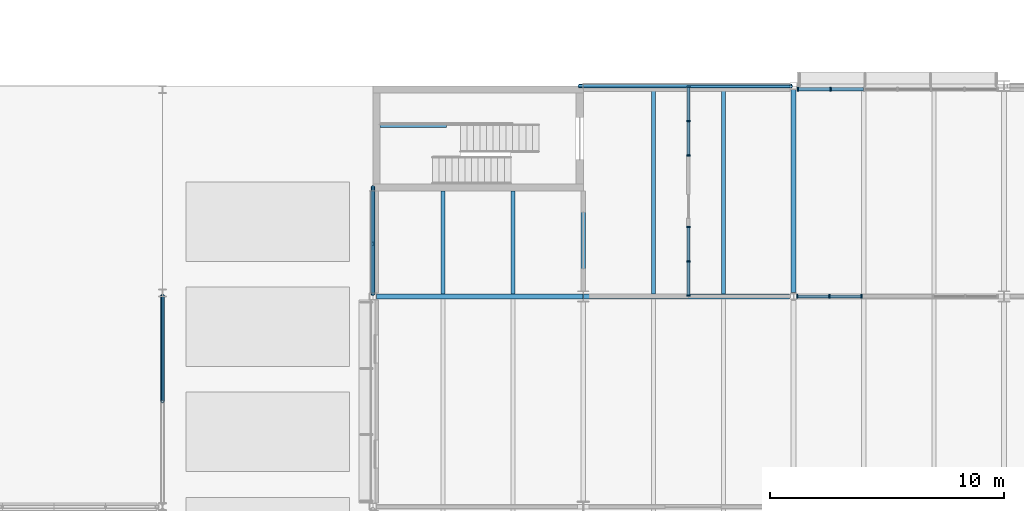
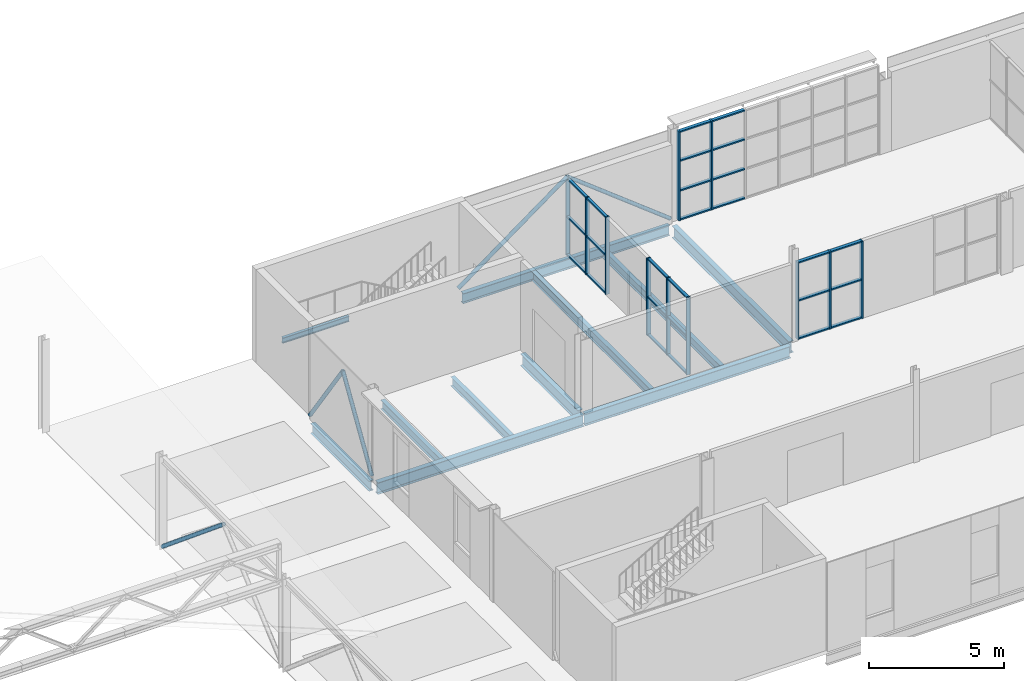
# One storey, part 14 of 61: 42 members, 11 beams, 4 elements without a shape of their own.
"""IFC4 building model written with IfcOpenShell, lengths in metres."""

from ifc_helpers import new_model, si_unit, direction, frame, origin, origin_2d, place, context, subcontext, project, spatial, rectangle, hollow_circle, i_section, extrude, material, layer, layer_set, material_profile, profile_set, type_object, element, aggregate, save


model = new_model("IFC4")

# Units and contexts
model_context = context("Model", 3, precision=1e-05, world=origin(), true_north=direction((0.0, 1.0)))
body_context = subcontext(model_context, "Body", "Model", "MODEL_VIEW")
ifc_project = project(units=[si_unit("LENGTHUNIT", "METRE"), si_unit("AREAUNIT", "SQUARE_METRE"), si_unit("VOLUMEUNIT", "CUBIC_METRE"), si_unit("PLANEANGLEUNIT", "RADIAN"), si_unit("MASSUNIT", "GRAM", prefix="KILO")], contexts=[model_context])

# Site, building, storey
site_placement = place(None, origin())
site = spatial("IfcSite", under=ifc_project, at=site_placement, CompositionType="ELEMENT")
building_placement = place(site_placement, origin())
building = spatial("IfcBuilding", under=site, at=building_placement, Name="Halyard Row Museum", CompositionType="ELEMENT")
storey_placement = place(building_placement, frame((0.0, 0.0, 9.199951171875)))
storey = spatial("IfcBuildingStorey", under=building, at=storey_placement, Name="L02", CompositionType="ELEMENT", Elevation=9.199951171875)

# Members
ifc_material_1 = material(Name="Steel Grade C350L0", Category="steel")
ifc_material_profile_1 = material_profile(ifc_material_1, hollow_circle(Radius=0.084228515625, WallThickness=0.007080078125, at=origin_2d()), Name="168.3x7.1CHS")
ifc_profile_set_1 = profile_set([ifc_material_profile_1], Name="Steel Grade C350L0")
member_type_1 = type_object("IfcMemberType", Name="Brace 168.3x7.1CHS", PredefinedType="BRACE", material=ifc_profile_set_1)
member_1_placement = place(storey_placement, frame((18.0, 36.036376953125, 0.084228515625), z_axis=(0.0, -0.770035521852, 0.638001014957), x_axis=(1.0, 0.0, 0.0)))
element("IfcMember", 1, at=member_1_placement, inside=storey, type_object=member_type_1, Name="Brace L02 X18 27-36 B", PredefinedType="BRACE", context=body_context, shape_type="SweptSolid", body=[
    extrude(hollow_circle(Radius=0.084228515625, WallThickness=0.007080078125, at=origin_2d()), origin(), (0.0, 0.0, 1.0), 5.89111328125),
])
member_2_placement = place(storey_placement, frame((27.0, 36.10009765625, 0.084228515625), z_axis=(0.0, 0.528396087198, 0.848997982939), x_axis=(-1.0, 0.0, 0.0)))
element("IfcMember", 2, at=member_2_placement, inside=storey, type_object=member_type_1, Name="Brace L02 X27 36-40.5 A", PredefinedType="BRACE", context=body_context, shape_type="SweptSolid", body=[
    extrude(hollow_circle(Radius=0.084228515625, WallThickness=0.007080078125, at=origin_2d()), origin(), (0.0, 0.0, 1.0), 4.06884765625),
])
member_3_placement = place(storey_placement, frame((27.0, 40.669921875, 0.084228515625), z_axis=(0.0, -0.57419692376, 0.818717223921), x_axis=(1.0, 0.0, 0.0)))
element("IfcMember", 3, at=member_3_placement, inside=storey, type_object=member_type_1, Name="Brace L02 X27 36-40.5 B", PredefinedType="BRACE", context=body_context, shape_type="SweptSolid", body=[
    extrude(hollow_circle(Radius=0.084228515625, WallThickness=0.007080078125, at=origin_2d()), origin(), (0.0, 0.0, 1.0), 4.21435546875),
])
member_4_placement = place(storey_placement, frame((35.830078125, 45.0, 0.084228515625), z_axis=(0.805866223189, 0.0, 0.592097652692), x_axis=(0.0, 1.0, 0.0)))
element("IfcMember", 4, at=member_4_placement, inside=storey, type_object=member_type_1, Name="Brace L02 Y45 36-45 A", PredefinedType="BRACE", context=body_context, shape_type="SweptSolid", body=[
    extrude(hollow_circle(Radius=0.084228515625, WallThickness=0.007080078125, at=origin_2d()), origin(), (0.0, 0.0, 1.0), 5.794921875),
])
member_5_placement = place(storey_placement, frame((44.89990234375, 45.0, 0.084228515625), z_axis=(-0.788442048263, 0.0, 0.615109044422), x_axis=(0.0, -1.0, 0.0)))
element("IfcMember", 5, at=member_5_placement, inside=storey, type_object=member_type_1, Name="Brace L02 Y45 36-45 B", PredefinedType="BRACE", context=body_context, shape_type="SweptSolid", body=[
    extrude(hollow_circle(Radius=0.084228515625, WallThickness=0.007080078125, at=origin_2d()), origin(), (0.0, 0.0, 1.0), 5.58056640625),
])

# Curtain wall, members
ifc_material_2 = material(Name="Double glazed unit, low-emissivity", Category="glass")
ifc_layer_1 = layer(ifc_material_2, 0.179931640625)
ifc_layer_set_1 = layer_set([ifc_layer_1], Name="Double glazed unit, low-emissivity")
curtain_wall_type_1 = type_object("IfcCurtainWallType", Name="Curtain wall stick 180 deep", PredefinedType="NOTDEFINED", material=ifc_layer_set_1)
curtain_wall_1_placement = place(storey_placement, origin())
curtain_wall_1 = element("IfcCurtainWall", 6, at=curtain_wall_1_placement, inside=storey, type_object=curtain_wall_type_1, Name="Curtain wall CW035", PredefinedType="NOTDEFINED")
ifc_material_3 = material(Name="Powder-coated aluminium section", Category="aluminium")
ifc_material_profile_2 = material_profile(ifc_material_3, rectangle(XDim=0.179931640625, YDim=0.06005859375, at=origin_2d()), Name="180x60 mullion")
ifc_profile_set_2 = profile_set([ifc_material_profile_2], Name="Powder-coated aluminium section")
member_type_2 = type_object("IfcMemberType", Name="Curtain wall mullion CM2 60 x 180", PredefinedType="MULLION", material=ifc_profile_set_2)
member_6_placement = place(storey_placement, frame((46.583251953125, 44.860107421875, 0.0), z_axis=(0.0, 0.0, 1.0), x_axis=(0.0, -1.0, 0.0)))
member_6 = element("IfcMember", 7, at=member_6_placement, type_object=member_type_2, Name="CW035 mullion 6", PredefinedType="MULLION", context=body_context, shape_type="SweptSolid", body=[
    extrude(rectangle(XDim=0.179931640625, YDim=0.06005859375, at=origin_2d()), origin(), (0.0, 0.0, 1.0), 4.03515625),
])
member_7_placement = place(storey_placement, frame((45.179931640625, 44.860107421875, 0.0), z_axis=(0.0, 0.0, 1.0), x_axis=(0.0, -1.0, 0.0)))
member_7 = element("IfcMember", 8, at=member_7_placement, type_object=member_type_2, Name="CW035 mullion 7", PredefinedType="MULLION", context=body_context, shape_type="SweptSolid", body=[
    extrude(rectangle(XDim=0.179931640625, YDim=0.06005859375, at=origin_2d()), origin(), (0.0, 0.0, 1.0), 4.03515625),
])

curtain_wall_2_placement = place(storey_placement, origin())
curtain_wall_2 = element("IfcCurtainWall", 9, at=curtain_wall_2_placement, inside=storey, type_object=curtain_wall_type_1, Name="Curtain wall CW164", PredefinedType="NOTDEFINED")
member_8_placement = place(storey_placement, frame((45.156982421875, 36.0, 0.0), z_axis=(0.0, 0.0, 1.0), x_axis=(0.0, 1.0, 0.0)))
member_8 = element("IfcMember", 10, at=member_8_placement, type_object=member_type_2, Name="CW164 mullion 1", PredefinedType="MULLION", context=body_context, shape_type="SweptSolid", body=[
    extrude(rectangle(XDim=0.179931640625, YDim=0.06005859375, at=origin_2d()), origin(), (0.0, 0.0, 1.0), 3.501953125),
])
member_9_placement = place(storey_placement, frame((46.53271484375, 36.0, 0.0), z_axis=(0.0, 0.0, 1.0), x_axis=(0.0, 1.0, 0.0)))
member_9 = element("IfcMember", 11, at=member_9_placement, type_object=member_type_2, Name="CW164 mullion 2", PredefinedType="MULLION", context=body_context, shape_type="SweptSolid", body=[
    extrude(rectangle(XDim=0.179931640625, YDim=0.06005859375, at=origin_2d()), origin(), (0.0, 0.0, 1.0), 3.501953125),
])
member_10_placement = place(storey_placement, frame((47.908447265625, 36.0, 0.0), z_axis=(0.0, 0.0, 1.0), x_axis=(0.0, 1.0, 0.0)))
member_10 = element("IfcMember", 12, at=member_10_placement, type_object=member_type_2, Name="CW164 mullion 3", PredefinedType="MULLION", context=body_context, shape_type="SweptSolid", body=[
    extrude(rectangle(XDim=0.179931640625, YDim=0.06005859375, at=origin_2d()), origin(), (0.0, 0.0, 1.0), 3.501953125),
])

ifc_material_4 = material(Name="Fire-resisting laminated glazing", Category="glass")
ifc_layer_2 = layer(ifc_material_4, 0.159912109375)
ifc_layer_set_2 = layer_set([ifc_layer_2], Name="Fire-resisting laminated glazing")
curtain_wall_type_2 = type_object("IfcCurtainWallType", Name="Curtain wall atrium screen 160 deep", PredefinedType="NOTDEFINED", material=ifc_layer_set_2)
curtain_wall_3_placement = place(storey_placement, origin())
curtain_wall_3 = element("IfcCurtainWall", 13, at=curtain_wall_3_placement, inside=storey, type_object=curtain_wall_type_2, Name="Curtain wall CW168", PredefinedType="NOTDEFINED")
ifc_material_5 = material(Name="Powder-coated aluminium section", Category="aluminium")
ifc_material_profile_3 = material_profile(ifc_material_5, rectangle(XDim=0.159912109375, YDim=0.06005859375, at=origin_2d()), Name="160x60 mullion")
ifc_profile_set_3 = profile_set([ifc_material_profile_3], Name="Powder-coated aluminium section")
member_type_3 = type_object("IfcMemberType", Name="Curtain wall mullion CM5 60 x 160", PredefinedType="MULLION", material=ifc_profile_set_3)
member_11_placement = place(storey_placement, frame((40.5, 36.030029296875, 0.0), z_axis=(0.0, 0.0, 1.0), x_axis=(-1.0, 0.0, 0.0)))
member_11 = element("IfcMember", 14, at=member_11_placement, type_object=member_type_3, Name="CW168 mullion 1", PredefinedType="MULLION", context=body_context, shape_type="SweptSolid", body=[
    extrude(rectangle(XDim=0.159912109375, YDim=0.06005859375, at=origin_2d()), origin(), (0.0, 0.0, 1.0), 3.501953125),
])
member_12_placement = place(storey_placement, frame((40.5, 37.5, 0.0), z_axis=(0.0, 0.0, 1.0), x_axis=(-1.0, 0.0, 0.0)))
member_12 = element("IfcMember", 15, at=member_12_placement, type_object=member_type_3, Name="CW168 mullion 2", PredefinedType="MULLION", context=body_context, shape_type="SweptSolid", body=[
    extrude(rectangle(XDim=0.159912109375, YDim=0.06005859375, at=origin_2d()), origin(), (0.0, 0.0, 1.0), 3.501953125),
])
member_13_placement = place(storey_placement, frame((40.5, 38.969970703125, 0.0), z_axis=(0.0, 0.0, 1.0), x_axis=(-1.0, 0.0, 0.0)))
member_13 = element("IfcMember", 16, at=member_13_placement, type_object=member_type_3, Name="CW168 mullion 3", PredefinedType="MULLION", context=body_context, shape_type="SweptSolid", body=[
    extrude(rectangle(XDim=0.159912109375, YDim=0.06005859375, at=origin_2d()), origin(), (0.0, 0.0, 1.0), 3.501953125),
])

curtain_wall_4_placement = place(storey_placement, origin())
curtain_wall_4 = element("IfcCurtainWall", 17, at=curtain_wall_4_placement, inside=storey, type_object=curtain_wall_type_2, Name="Curtain wall CW169", PredefinedType="NOTDEFINED")
member_14_placement = place(storey_placement, frame((40.5, 42.030029296875, 0.0), z_axis=(0.0, 0.0, 1.0), x_axis=(-1.0, 0.0, 0.0)))
member_14 = element("IfcMember", 18, at=member_14_placement, type_object=member_type_3, Name="CW169 mullion 1", PredefinedType="MULLION", context=body_context, shape_type="SweptSolid", body=[
    extrude(rectangle(XDim=0.159912109375, YDim=0.06005859375, at=origin_2d()), origin(), (0.0, 0.0, 1.0), 3.501953125),
])
member_15_placement = place(storey_placement, frame((40.5, 43.5, 0.0), z_axis=(0.0, 0.0, 1.0), x_axis=(-1.0, 0.0, 0.0)))
member_15 = element("IfcMember", 19, at=member_15_placement, type_object=member_type_3, Name="CW169 mullion 2", PredefinedType="MULLION", context=body_context, shape_type="SweptSolid", body=[
    extrude(rectangle(XDim=0.159912109375, YDim=0.06005859375, at=origin_2d()), origin(), (0.0, 0.0, 1.0), 3.501953125),
])
member_16_placement = place(storey_placement, frame((40.5, 44.969970703125, 0.0), z_axis=(0.0, 0.0, 1.0), x_axis=(-1.0, 0.0, 0.0)))
member_16 = element("IfcMember", 20, at=member_16_placement, type_object=member_type_3, Name="CW169 mullion 3", PredefinedType="MULLION", context=body_context, shape_type="SweptSolid", body=[
    extrude(rectangle(XDim=0.159912109375, YDim=0.06005859375, at=origin_2d()), origin(), (0.0, 0.0, 1.0), 3.501953125),
])

# Member
ifc_material_6 = material(Name="Powder-coated aluminium section", Category="aluminium")
ifc_material_profile_4 = material_profile(ifc_material_6, rectangle(XDim=0.139892578125, YDim=0.06005859375, at=origin_2d()), Name="140x60 transom")
ifc_profile_set_4 = profile_set([ifc_material_profile_4], Name="Powder-coated aluminium section")
member_type_4 = type_object("IfcMemberType", Name="Curtain wall transom CT2 60 x 140", PredefinedType="USERDEFINED", material=ifc_profile_set_4)
member_17_placement = place(storey_placement, frame((47.986572265625, 44.860107421875, 0.030029296875), z_axis=(-1.0, 0.0, 0.0), x_axis=(0.0, -1.0, 0.0)))
member_17 = element("IfcMember", 21, at=member_17_placement, type_object=member_type_4, Name="CW035 transom 5.1", ObjectType="TRANSOM", PredefinedType="USERDEFINED", context=body_context, shape_type="SweptSolid", body=[
    extrude(rectangle(XDim=0.139892578125, YDim=0.06005859375, at=origin_2d()), origin(), (0.0, 0.0, 1.0), 1.373291015625),
])

member_18_placement = place(storey_placement, frame((47.986572265625, 44.860107421875, 1.344970703125), z_axis=(-1.0, 0.0, 0.0), x_axis=(0.0, -1.0, 0.0)))
member_18 = element("IfcMember", 22, at=member_18_placement, type_object=member_type_4, Name="CW035 transom 5.2", ObjectType="TRANSOM", PredefinedType="USERDEFINED", context=body_context, shape_type="SweptSolid", body=[
    extrude(rectangle(XDim=0.139892578125, YDim=0.06005859375, at=origin_2d()), origin(), (0.0, 0.0, 1.0), 1.373291015625),
])

member_19_placement = place(storey_placement, frame((47.986572265625, 44.860107421875, 2.68994140625), z_axis=(-1.0, 0.0, 0.0), x_axis=(0.0, -1.0, 0.0)))
member_19 = element("IfcMember", 23, at=member_19_placement, type_object=member_type_4, Name="CW035 transom 5.3", ObjectType="TRANSOM", PredefinedType="USERDEFINED", context=body_context, shape_type="SweptSolid", body=[
    extrude(rectangle(XDim=0.139892578125, YDim=0.06005859375, at=origin_2d()), origin(), (0.0, 0.0, 1.0), 1.373291015625),
])

member_20_placement = place(storey_placement, frame((47.986572265625, 44.860107421875, 4.005126953125), z_axis=(-1.0, 0.0, 0.0), x_axis=(0.0, -1.0, 0.0)))
member_20 = element("IfcMember", 24, at=member_20_placement, type_object=member_type_4, Name="CW035 transom 5.4", ObjectType="TRANSOM", PredefinedType="USERDEFINED", context=body_context, shape_type="SweptSolid", body=[
    extrude(rectangle(XDim=0.139892578125, YDim=0.06005859375, at=origin_2d()), origin(), (0.0, 0.0, 1.0), 1.373291015625),
])

member_21_placement = place(storey_placement, frame((46.55322265625, 44.860107421875, 0.030029296875), z_axis=(-1.0, 0.0, 0.0), x_axis=(0.0, -1.0, 0.0)))
member_21 = element("IfcMember", 25, at=member_21_placement, type_object=member_type_4, Name="CW035 transom 6.1", ObjectType="TRANSOM", PredefinedType="USERDEFINED", context=body_context, shape_type="SweptSolid", body=[
    extrude(rectangle(XDim=0.139892578125, YDim=0.06005859375, at=origin_2d()), origin(), (0.0, 0.0, 1.0), 1.34326171875),
])

member_22_placement = place(storey_placement, frame((46.55322265625, 44.860107421875, 1.344970703125), z_axis=(-1.0, 0.0, 0.0), x_axis=(0.0, -1.0, 0.0)))
member_22 = element("IfcMember", 26, at=member_22_placement, type_object=member_type_4, Name="CW035 transom 6.2", ObjectType="TRANSOM", PredefinedType="USERDEFINED", context=body_context, shape_type="SweptSolid", body=[
    extrude(rectangle(XDim=0.139892578125, YDim=0.06005859375, at=origin_2d()), origin(), (0.0, 0.0, 1.0), 1.34326171875),
])

member_23_placement = place(storey_placement, frame((46.55322265625, 44.860107421875, 2.68994140625), z_axis=(-1.0, 0.0, 0.0), x_axis=(0.0, -1.0, 0.0)))
member_23 = element("IfcMember", 27, at=member_23_placement, type_object=member_type_4, Name="CW035 transom 6.3", ObjectType="TRANSOM", PredefinedType="USERDEFINED", context=body_context, shape_type="SweptSolid", body=[
    extrude(rectangle(XDim=0.139892578125, YDim=0.06005859375, at=origin_2d()), origin(), (0.0, 0.0, 1.0), 1.34326171875),
])

member_24_placement = place(storey_placement, frame((46.55322265625, 44.860107421875, 4.005126953125), z_axis=(-1.0, 0.0, 0.0), x_axis=(0.0, -1.0, 0.0)))
member_24 = element("IfcMember", 28, at=member_24_placement, type_object=member_type_4, Name="CW035 transom 6.4", ObjectType="TRANSOM", PredefinedType="USERDEFINED", context=body_context, shape_type="SweptSolid", body=[
    extrude(rectangle(XDim=0.139892578125, YDim=0.06005859375, at=origin_2d()), origin(), (0.0, 0.0, 1.0), 1.34326171875),
])

aggregate(curtain_wall_1, [member_6, member_7, member_17, member_18, member_19, member_20, member_21, member_22, member_23, member_24])

member_25_placement = place(storey_placement, frame((45.18701171875, 36.0, 0.030029296875), z_axis=(1.0, 0.0, 0.0), x_axis=(0.0, 1.0, 0.0)))
member_25 = element("IfcMember", 29, at=member_25_placement, type_object=member_type_4, Name="CW164 transom 1.1", ObjectType="TRANSOM", PredefinedType="USERDEFINED", context=body_context, shape_type="SweptSolid", body=[
    extrude(rectangle(XDim=0.139892578125, YDim=0.06005859375, at=origin_2d()), origin(), (0.0, 0.0, 1.0), 1.315673828125),
])

member_26_placement = place(storey_placement, frame((45.18701171875, 36.0, 1.7509765625), z_axis=(1.0, 0.0, 0.0), x_axis=(0.0, 1.0, 0.0)))
member_26 = element("IfcMember", 30, at=member_26_placement, type_object=member_type_4, Name="CW164 transom 1.2", ObjectType="TRANSOM", PredefinedType="USERDEFINED", context=body_context, shape_type="SweptSolid", body=[
    extrude(rectangle(XDim=0.139892578125, YDim=0.06005859375, at=origin_2d()), origin(), (0.0, 0.0, 1.0), 1.315673828125),
])

member_27_placement = place(storey_placement, frame((45.18701171875, 36.0, 3.47216796875), z_axis=(1.0, 0.0, 0.0), x_axis=(0.0, 1.0, 0.0)))
member_27 = element("IfcMember", 31, at=member_27_placement, type_object=member_type_4, Name="CW164 transom 1.3", ObjectType="TRANSOM", PredefinedType="USERDEFINED", context=body_context, shape_type="SweptSolid", body=[
    extrude(rectangle(XDim=0.139892578125, YDim=0.06005859375, at=origin_2d()), origin(), (0.0, 0.0, 1.0), 1.315673828125),
])

member_28_placement = place(storey_placement, frame((46.562744140625, 36.0, 0.030029296875), z_axis=(1.0, 0.0, 0.0), x_axis=(0.0, 1.0, 0.0)))
member_28 = element("IfcMember", 32, at=member_28_placement, type_object=member_type_4, Name="CW164 transom 2.1", ObjectType="TRANSOM", PredefinedType="USERDEFINED", context=body_context, shape_type="SweptSolid", body=[
    extrude(rectangle(XDim=0.139892578125, YDim=0.06005859375, at=origin_2d()), origin(), (0.0, 0.0, 1.0), 1.315673828125),
])

member_29_placement = place(storey_placement, frame((46.562744140625, 36.0, 1.7509765625), z_axis=(1.0, 0.0, 0.0), x_axis=(0.0, 1.0, 0.0)))
member_29 = element("IfcMember", 33, at=member_29_placement, type_object=member_type_4, Name="CW164 transom 2.2", ObjectType="TRANSOM", PredefinedType="USERDEFINED", context=body_context, shape_type="SweptSolid", body=[
    extrude(rectangle(XDim=0.139892578125, YDim=0.06005859375, at=origin_2d()), origin(), (0.0, 0.0, 1.0), 1.315673828125),
])

member_30_placement = place(storey_placement, frame((46.562744140625, 36.0, 3.47216796875), z_axis=(1.0, 0.0, 0.0), x_axis=(0.0, 1.0, 0.0)))
member_30 = element("IfcMember", 34, at=member_30_placement, type_object=member_type_4, Name="CW164 transom 2.3", ObjectType="TRANSOM", PredefinedType="USERDEFINED", context=body_context, shape_type="SweptSolid", body=[
    extrude(rectangle(XDim=0.139892578125, YDim=0.06005859375, at=origin_2d()), origin(), (0.0, 0.0, 1.0), 1.315673828125),
])

aggregate(curtain_wall_2, [member_8, member_9, member_10, member_25, member_26, member_27, member_28, member_29, member_30])

ifc_material_7 = material(Name="Powder-coated aluminium section", Category="aluminium")
ifc_material_profile_5 = material_profile(ifc_material_7, rectangle(XDim=0.1201171875, YDim=0.06005859375, at=origin_2d()), Name="120x60 transom")
ifc_profile_set_5 = profile_set([ifc_material_profile_5], Name="Powder-coated aluminium section")
member_type_5 = type_object("IfcMemberType", Name="Curtain wall transom CT5 60 x 120", PredefinedType="USERDEFINED", material=ifc_profile_set_5)
member_31_placement = place(storey_placement, frame((40.5, 36.06005859375, 0.030029296875), z_axis=(0.0, 1.0, 0.0), x_axis=(-1.0, 0.0, 0.0)))
member_31 = element("IfcMember", 35, at=member_31_placement, type_object=member_type_5, Name="CW168 transom 1.1", ObjectType="TRANSOM", PredefinedType="USERDEFINED", context=body_context, shape_type="SweptSolid", body=[
    extrude(rectangle(XDim=0.1201171875, YDim=0.06005859375, at=origin_2d()), origin(), (0.0, 0.0, 1.0), 1.409912109375),
])

member_32_placement = place(storey_placement, frame((40.5, 36.06005859375, 1.7509765625), z_axis=(0.0, 1.0, 0.0), x_axis=(-1.0, 0.0, 0.0)))
member_32 = element("IfcMember", 36, at=member_32_placement, type_object=member_type_5, Name="CW168 transom 1.2", ObjectType="TRANSOM", PredefinedType="USERDEFINED", context=body_context, shape_type="SweptSolid", body=[
    extrude(rectangle(XDim=0.1201171875, YDim=0.06005859375, at=origin_2d()), origin(), (0.0, 0.0, 1.0), 1.409912109375),
])

member_33_placement = place(storey_placement, frame((40.5, 36.06005859375, 3.47216796875), z_axis=(0.0, 1.0, 0.0), x_axis=(-1.0, 0.0, 0.0)))
member_33 = element("IfcMember", 37, at=member_33_placement, type_object=member_type_5, Name="CW168 transom 1.3", ObjectType="TRANSOM", PredefinedType="USERDEFINED", context=body_context, shape_type="SweptSolid", body=[
    extrude(rectangle(XDim=0.1201171875, YDim=0.06005859375, at=origin_2d()), origin(), (0.0, 0.0, 1.0), 1.409912109375),
])

member_34_placement = place(storey_placement, frame((40.5, 37.530029296875, 0.030029296875), z_axis=(0.0, 1.0, 0.0), x_axis=(-1.0, 0.0, 0.0)))
member_34 = element("IfcMember", 38, at=member_34_placement, type_object=member_type_5, Name="CW168 transom 2.1", ObjectType="TRANSOM", PredefinedType="USERDEFINED", context=body_context, shape_type="SweptSolid", body=[
    extrude(rectangle(XDim=0.1201171875, YDim=0.06005859375, at=origin_2d()), origin(), (0.0, 0.0, 1.0), 1.409912109375),
])

member_35_placement = place(storey_placement, frame((40.5, 37.530029296875, 1.7509765625), z_axis=(0.0, 1.0, 0.0), x_axis=(-1.0, 0.0, 0.0)))
member_35 = element("IfcMember", 39, at=member_35_placement, type_object=member_type_5, Name="CW168 transom 2.2", ObjectType="TRANSOM", PredefinedType="USERDEFINED", context=body_context, shape_type="SweptSolid", body=[
    extrude(rectangle(XDim=0.1201171875, YDim=0.06005859375, at=origin_2d()), origin(), (0.0, 0.0, 1.0), 1.409912109375),
])

member_36_placement = place(storey_placement, frame((40.5, 37.530029296875, 3.47216796875), z_axis=(0.0, 1.0, 0.0), x_axis=(-1.0, 0.0, 0.0)))
member_36 = element("IfcMember", 40, at=member_36_placement, type_object=member_type_5, Name="CW168 transom 2.3", ObjectType="TRANSOM", PredefinedType="USERDEFINED", context=body_context, shape_type="SweptSolid", body=[
    extrude(rectangle(XDim=0.1201171875, YDim=0.06005859375, at=origin_2d()), origin(), (0.0, 0.0, 1.0), 1.409912109375),
])

aggregate(curtain_wall_3, [member_11, member_12, member_13, member_31, member_32, member_33, member_34, member_35, member_36])

member_37_placement = place(storey_placement, frame((40.5, 42.06005859375, 0.030029296875), z_axis=(0.0, 1.0, 0.0), x_axis=(-1.0, 0.0, 0.0)))
member_37 = element("IfcMember", 41, at=member_37_placement, type_object=member_type_5, Name="CW169 transom 1.1", ObjectType="TRANSOM", PredefinedType="USERDEFINED", context=body_context, shape_type="SweptSolid", body=[
    extrude(rectangle(XDim=0.1201171875, YDim=0.06005859375, at=origin_2d()), origin(), (0.0, 0.0, 1.0), 1.409912109375),
])

member_38_placement = place(storey_placement, frame((40.5, 42.06005859375, 1.7509765625), z_axis=(0.0, 1.0, 0.0), x_axis=(-1.0, 0.0, 0.0)))
member_38 = element("IfcMember", 42, at=member_38_placement, type_object=member_type_5, Name="CW169 transom 1.2", ObjectType="TRANSOM", PredefinedType="USERDEFINED", context=body_context, shape_type="SweptSolid", body=[
    extrude(rectangle(XDim=0.1201171875, YDim=0.06005859375, at=origin_2d()), origin(), (0.0, 0.0, 1.0), 1.409912109375),
])

member_39_placement = place(storey_placement, frame((40.5, 42.06005859375, 3.47216796875), z_axis=(0.0, 1.0, 0.0), x_axis=(-1.0, 0.0, 0.0)))
member_39 = element("IfcMember", 43, at=member_39_placement, type_object=member_type_5, Name="CW169 transom 1.3", ObjectType="TRANSOM", PredefinedType="USERDEFINED", context=body_context, shape_type="SweptSolid", body=[
    extrude(rectangle(XDim=0.1201171875, YDim=0.06005859375, at=origin_2d()), origin(), (0.0, 0.0, 1.0), 1.409912109375),
])

member_40_placement = place(storey_placement, frame((40.5, 43.530029296875, 0.030029296875), z_axis=(0.0, 1.0, 0.0), x_axis=(-1.0, 0.0, 0.0)))
member_40 = element("IfcMember", 44, at=member_40_placement, type_object=member_type_5, Name="CW169 transom 2.1", ObjectType="TRANSOM", PredefinedType="USERDEFINED", context=body_context, shape_type="SweptSolid", body=[
    extrude(rectangle(XDim=0.1201171875, YDim=0.06005859375, at=origin_2d()), origin(), (0.0, 0.0, 1.0), 1.409912109375),
])

member_41_placement = place(storey_placement, frame((40.5, 43.530029296875, 1.7509765625), z_axis=(0.0, 1.0, 0.0), x_axis=(-1.0, 0.0, 0.0)))
member_41 = element("IfcMember", 45, at=member_41_placement, type_object=member_type_5, Name="CW169 transom 2.2", ObjectType="TRANSOM", PredefinedType="USERDEFINED", context=body_context, shape_type="SweptSolid", body=[
    extrude(rectangle(XDim=0.1201171875, YDim=0.06005859375, at=origin_2d()), origin(), (0.0, 0.0, 1.0), 1.409912109375),
])

member_42_placement = place(storey_placement, frame((40.5, 43.530029296875, 3.47216796875), z_axis=(0.0, 1.0, 0.0), x_axis=(-1.0, 0.0, 0.0)))
member_42 = element("IfcMember", 46, at=member_42_placement, type_object=member_type_5, Name="CW169 transom 2.3", ObjectType="TRANSOM", PredefinedType="USERDEFINED", context=body_context, shape_type="SweptSolid", body=[
    extrude(rectangle(XDim=0.1201171875, YDim=0.06005859375, at=origin_2d()), origin(), (0.0, 0.0, 1.0), 1.409912109375),
])

aggregate(curtain_wall_4, [member_14, member_15, member_16, member_37, member_38, member_39, member_40, member_41, member_42])

# Beams
ifc_material_8 = material(Name="Steel Grade 300", Category="steel")
ifc_material_profile_6 = material_profile(ifc_material_8, i_section(OverallWidth=0.18994140625, OverallDepth=0.45751953125, WebThickness=0.009033203125, FlangeThickness=0.014404296875, FilletRadius=0.011474609375, at=origin_2d()), Name="460UB74.6")
ifc_profile_set_6 = profile_set([ifc_material_profile_6], Name="Steel Grade 300")
beam_type_1 = type_object("IfcBeamType", Name="Edge beam 460UB74.6", PredefinedType="BEAM", material=ifc_profile_set_6)
beam_1_placement = place(storey_placement, frame((36.0, 45.0, -0.3935546875), z_axis=(1.0, 0.0, 0.0), x_axis=(0.0, 1.0, 0.0)))
element("IfcBeam", 47, at=beam_1_placement, inside=storey, type_object=beam_type_1, Name="Beam L02-035", PredefinedType="BEAM", context=body_context, shape_type="SweptSolid", body=[
    extrude(i_section(OverallWidth=0.18994140625, OverallDepth=0.45751953125, WebThickness=0.009033203125, FlangeThickness=0.014404296875, FilletRadius=0.011474609375, at=origin_2d()), origin(), (0.0, 0.0, 1.0), 8.85009765625),
])
beam_2_placement = place(storey_placement, frame((27.0, 36.14990234375, -0.3935546875), z_axis=(0.0, 1.0, 0.0), x_axis=(-1.0, 0.0, 0.0)))
element("IfcBeam", 48, at=beam_2_placement, inside=storey, type_object=beam_type_1, Name="Beam L02-051", PredefinedType="BEAM", context=body_context, shape_type="SweptSolid", body=[
    extrude(i_section(OverallWidth=0.18994140625, OverallDepth=0.45751953125, WebThickness=0.009033203125, FlangeThickness=0.014404296875, FilletRadius=0.011474609375, at=origin_2d()), origin(), (0.0, 0.0, 1.0), 4.35009765625),
])
ifc_material_9 = material(Name="Steel Grade 300", Category="steel")
ifc_material_profile_7 = material_profile(ifc_material_9, i_section(OverallWidth=0.208984375, OverallDepth=0.532958984375, WebThickness=0.01025390625, FlangeThickness=0.015625, FilletRadius=0.013916015625, at=origin_2d()), Name="530UB92.4")
ifc_profile_set_7 = profile_set([ifc_material_profile_7], Name="Steel Grade 300")
beam_type_2 = type_object("IfcBeamType", Name="Girder beam 530UB92.4", PredefinedType="BEAM", material=ifc_profile_set_7)
beam_3_placement = place(storey_placement, frame((27.14990234375, 36.0, -0.431396484375), z_axis=(1.0, 0.0, 0.0), x_axis=(0.0, 1.0, 0.0)))
element("IfcBeam", 49, at=beam_3_placement, inside=storey, type_object=beam_type_2, Name="Beam L02-026", PredefinedType="BEAM", context=body_context, shape_type="SweptSolid", body=[
    extrude(i_section(OverallWidth=0.208984375, OverallDepth=0.532958984375, WebThickness=0.01025390625, FlangeThickness=0.015625, FilletRadius=0.013916015625, at=origin_2d()), origin(), (0.0, 0.0, 1.0), 8.830078125),
])
beam_4_placement = place(storey_placement, frame((36.02001953125, 36.0, -0.431396484375), z_axis=(1.0, 0.0, 0.0), x_axis=(0.0, 1.0, 0.0)))
element("IfcBeam", 50, at=beam_4_placement, inside=storey, type_object=beam_type_2, Name="Beam L02-027", PredefinedType="BEAM", context=body_context, shape_type="SweptSolid", body=[
    extrude(i_section(OverallWidth=0.208984375, OverallDepth=0.532958984375, WebThickness=0.01025390625, FlangeThickness=0.015625, FilletRadius=0.013916015625, at=origin_2d()), origin(), (0.0, 0.0, 1.0), 8.804931640625),
])
beam_5_placement = place(storey_placement, frame((36.0, 36.239990234375, -0.431396484375), z_axis=(0.0, 1.0, 0.0), x_axis=(-1.0, 0.0, 0.0)))
element("IfcBeam", 51, at=beam_5_placement, inside=storey, type_object=beam_type_2, Name="Beam L02-054", PredefinedType="BEAM", context=body_context, shape_type="SweptSolid", body=[
    extrude(i_section(OverallWidth=0.208984375, OverallDepth=0.532958984375, WebThickness=0.01025390625, FlangeThickness=0.015625, FilletRadius=0.013916015625, at=origin_2d()), origin(), (0.0, 0.0, 1.0), 4.260009765625),
])
beam_6_placement = place(storey_placement, frame((45.0, 36.175048828125, -0.431396484375), z_axis=(0.0, 1.0, 0.0), x_axis=(-1.0, 0.0, 0.0)))
element("IfcBeam", 52, at=beam_6_placement, inside=storey, type_object=beam_type_2, Name="Beam L02-057", PredefinedType="BEAM", context=body_context, shape_type="SweptSolid", body=[
    extrude(i_section(OverallWidth=0.208984375, OverallDepth=0.532958984375, WebThickness=0.01025390625, FlangeThickness=0.015625, FilletRadius=0.013916015625, at=origin_2d()), origin(), (0.0, 0.0, 1.0), 8.675048828125),
])
ifc_material_10 = material(Name="Steel Grade 300", Category="steel")
ifc_material_profile_8 = material_profile(ifc_material_10, i_section(OverallWidth=0.1240234375, OverallDepth=0.248046875, WebThickness=0.0048828125, FlangeThickness=0.008056640625, FilletRadius=0.011962890625, at=origin_2d()), Name="250UB25.7")
ifc_profile_set_8 = profile_set([ifc_material_profile_8], Name="Steel Grade 300")
beam_type_3 = type_object("IfcBeamType", Name="Landing trimmer 250UB25.7", PredefinedType="BEAM", material=ifc_profile_set_8)
beam_7_placement = place(storey_placement, frame((27.297119140625, 43.278076171875, 1.776123046875), z_axis=(1.0, 0.0, 0.0), x_axis=(0.0, 1.0, 0.0)))
element("IfcBeam", 53, at=beam_7_placement, inside=storey, type_object=beam_type_3, Name="Landing ledger K1A L02 1", PredefinedType="BEAM", context=body_context, shape_type="SweptSolid", body=[
    extrude(i_section(OverallWidth=0.1240234375, OverallDepth=0.248046875, WebThickness=0.0048828125, FlangeThickness=0.008056640625, FilletRadius=0.011962890625, at=origin_2d()), origin(), (0.0, 0.0, 1.0), 2.852783203125),
])
ifc_material_11 = material(Name="Steel Grade 300", Category="steel")
ifc_material_profile_9 = material_profile(ifc_material_11, i_section(OverallWidth=0.177978515625, OverallDepth=0.406494140625, WebThickness=0.0078125, FlangeThickness=0.0126953125, FilletRadius=0.011474609375, at=origin_2d()), Name="410UB59.7")
ifc_profile_set_9 = profile_set([ifc_material_profile_9], Name="Steel Grade 300")
beam_type_4 = type_object("IfcBeamType", Name="Secondary beam 410UB59.7", PredefinedType="BEAM", material=ifc_profile_set_9)
for number, where, z_axis, x_axis, name in (
    (54, (30.0, 36.1044921875, -0.3681640625), (0.0, 1.0, 0.0), (-1.0, 0.0, 0.0), "Beam L02-135"),
    (55, (33.0, 36.1044921875, -0.3681640625), (0.0, 1.0, 0.0), (-1.0, 0.0, 0.0), "Beam L02-136"),
):
    element("IfcBeam", number, at=place(storey_placement, frame(where, z_axis=z_axis, x_axis=x_axis)), inside=storey, type_object=beam_type_4, Name=name, PredefinedType="BEAM", context=body_context, shape_type="SweptSolid", body=[
        extrude(i_section(OverallWidth=0.177978515625, OverallDepth=0.406494140625, WebThickness=0.0078125, FlangeThickness=0.0126953125, FilletRadius=0.011474609375, at=origin_2d()), origin(), (0.0, 0.0, 1.0), 4.3955078125),
    ])
for number, where, z_axis, x_axis, name in (
    (56, (39.0, 36.1044921875, -0.3681640625), (0.0, 1.0, 0.0), (-1.0, 0.0, 0.0), "Beam L02-137"),
    (57, (42.0, 36.1044921875, -0.3681640625), (0.0, 1.0, 0.0), (-1.0, 0.0, 0.0), "Beam L02-138"),
):
    element("IfcBeam", number, at=place(storey_placement, frame(where, z_axis=z_axis, x_axis=x_axis)), inside=storey, type_object=beam_type_4, Name=name, PredefinedType="BEAM", context=body_context, shape_type="SweptSolid", body=[
        extrude(i_section(OverallWidth=0.177978515625, OverallDepth=0.406494140625, WebThickness=0.0078125, FlangeThickness=0.0126953125, FilletRadius=0.011474609375, at=origin_2d()), origin(), (0.0, 0.0, 1.0), 8.800537109375),
    ])

save(model, "model.ifc")
